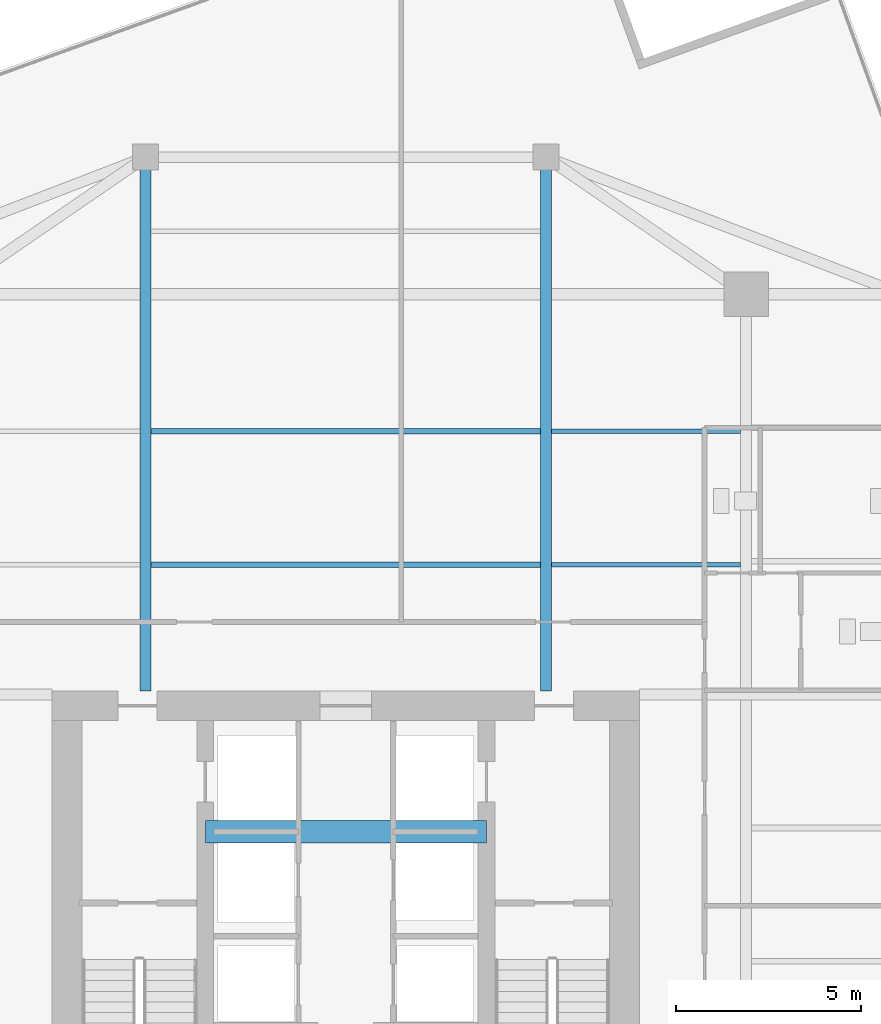
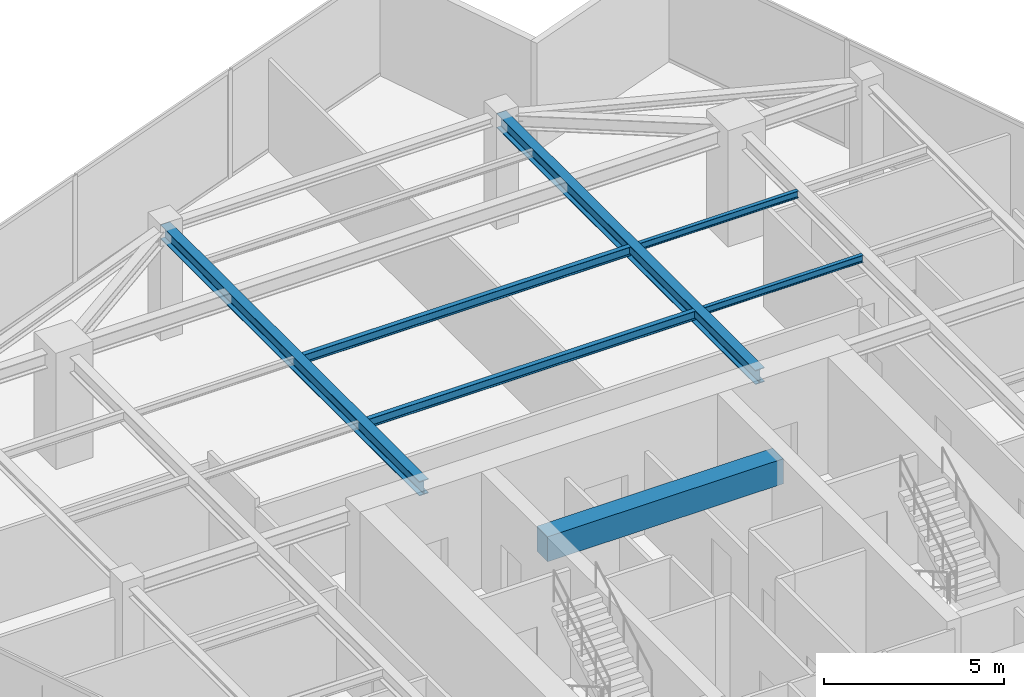
# One storey, part 8 of 21: 7 beams.
"""IFC4 building model written with IfcOpenShell, lengths in metres."""

from ifc_helpers import new_model, si_unit, direction, frame, origin, origin_2d, place, context, subcontext, project, spatial, rectangle, i_section, extrude, source, transform, mapped, material, material_profile, profile_set, type_object, type_shapes, element, save


model = new_model("IFC4")

# Units and contexts
model_context = context("Model", 3, precision=1e-05, world=origin(), true_north=direction((0.0, 1.0)))
body_context = subcontext(model_context, "Body", "Model", "MODEL_VIEW")
ifc_project = project(units=[si_unit("LENGTHUNIT", "METRE"), si_unit("AREAUNIT", "SQUARE_METRE"), si_unit("VOLUMEUNIT", "CUBIC_METRE"), si_unit("PLANEANGLEUNIT", "RADIAN"), si_unit("MASSUNIT", "GRAM", prefix="KILO")], contexts=[model_context])

# Site, building, storey
site_placement = place(None, origin())
site = spatial("IfcSite", under=ifc_project, at=site_placement, CompositionType="ELEMENT")
building_placement = place(site_placement, origin())
building = spatial("IfcBuilding", under=site, at=building_placement, Name="Krantzveldt Concourse Tower", CompositionType="ELEMENT")
storey_placement = place(building_placement, frame((0.0, 0.0, 335.60009765625)))
storey = spatial("IfcBuildingStorey", under=building, at=storey_placement, Name="L82", CompositionType="ELEMENT", Elevation=335.60009765625)

# Beams
ifc_material_1 = material(Name="Steel S355JR", Category="steel")
ifc_material_profile_1 = material_profile(ifc_material_1, i_section(OverallWidth=0.300048828125, OverallDepth=0.489990234375, WebThickness=0.011962890625, FlangeThickness=0.02294921875, FilletRadius=0.027099609375, at=origin_2d()), Name="Steel S355JR", Category="steel")
ifc_profile_set_1 = profile_set([ifc_material_profile_1], Name="Steel S355JR - HEA 500")
beam_type_1 = type_object("IfcBeamType", Name="BM-B-HEA500", PredefinedType="BEAM", material=ifc_profile_set_1)
shared_shape_1 = source(origin(), body_context, "Body", "SweptSolid", [
    extrude(i_section(OverallWidth=0.300048828125, OverallDepth=0.489990234375, WebThickness=0.011962890625, FlangeThickness=0.02294921875, FilletRadius=0.027099609375, at=origin_2d()), origin(), (0.0, 0.0, 1.0), 14.39990234375),
])
type_shapes(beam_type_1, [shared_shape_1])
for number, where, z_axis, x_axis, name in (
    (1, (30.60009765625, 26.800048828125, 3.4248046875), (0.0, 1.0, 0.0), (-1.0, 0.0, 0.0), "L82 Tower Girder BG-CNW"),
    (2, (41.39990234375, 26.800048828125, 3.4248046875), (0.0, 1.0, 0.0), (-1.0, 0.0, 0.0), "L82 Tower Girder BG-CNE"),
):
    element("IfcBeam", number, at=place(storey_placement, frame(where, z_axis=z_axis, x_axis=x_axis)), inside=storey, type_object=beam_type_1, Name=name, PredefinedType="BEAM", context=body_context, shape_type="MappedRepresentation", body=[
        mapped(shared_shape_1, transform((0.0, 0.0, 0.0), x_axis=(1.0, 0.0, 0.0), y_axis=(0.0, 1.0, 0.0), z_axis=(0.0, 0.0, 1.0), scale=1.0)),
    ])
ifc_material_profile_2 = material_profile(ifc_material_1, i_section(OverallWidth=0.14990234375, OverallDepth=0.300048828125, WebThickness=0.007080078125, FlangeThickness=0.0107421875, FilletRadius=0.014892578125, at=origin_2d()), Name="Steel S355JR", Category="steel")
ifc_profile_set_2 = profile_set([ifc_material_profile_2], Name="Steel S355JR - IPE 300")
beam_type_2 = type_object("IfcBeamType", Name="BM-J-IPE300", PredefinedType="JOIST", material=ifc_profile_set_2)
shared_shape_2 = source(origin(), body_context, "Body", "SweptSolid", [
    extrude(i_section(OverallWidth=0.14990234375, OverallDepth=0.300048828125, WebThickness=0.007080078125, FlangeThickness=0.0107421875, FilletRadius=0.014892578125, at=origin_2d()), origin(), (0.0, 0.0, 1.0), 10.5),
])
type_shapes(beam_type_2, [shared_shape_2])
for number, where, z_axis, x_axis, name in (
    (3, (30.75, 30.199951171875, 3.52001953125), (1.0, 0.0, 0.0), (0.0, 1.0, 0.0), "L82 Secondary Floor Joist JN-C1"),
    (4, (30.75, 33.800048828125, 3.52001953125), (1.0, 0.0, 0.0), (0.0, 1.0, 0.0), "L82 Secondary Floor Joist JN-C2"),
):
    element("IfcBeam", number, at=place(storey_placement, frame(where, z_axis=z_axis, x_axis=x_axis)), inside=storey, type_object=beam_type_2, Name=name, PredefinedType="JOIST", context=body_context, shape_type="MappedRepresentation", body=[
        mapped(shared_shape_2, transform((0.0, 0.0, 0.0), x_axis=(1.0, 0.0, 0.0), y_axis=(0.0, 1.0, 0.0), z_axis=(0.0, 0.0, 1.0), scale=1.0)),
    ])
ifc_material_2 = material(Name="Concrete C50/60", Category="concrete")
ifc_material_profile_3 = material_profile(ifc_material_2, rectangle(XDim=0.60009765625, YDim=0.85009765625, at=origin_2d()), Name="Concrete C50/60", Category="concrete")
ifc_profile_set_3 = profile_set([ifc_material_profile_3], Name="Concrete C50/60 - RC-CB 600x850")
beam_type_3 = type_object("IfcBeamType", Name="BM-CB-850", PredefinedType="LINTEL", material=ifc_profile_set_3)
shared_shape_3 = source(origin(), body_context, "Body", "SweptSolid", [
    extrude(rectangle(XDim=0.60009765625, YDim=0.85009765625, at=origin_2d()), origin(), (0.0, 0.0, 1.0), 7.580078125),
])
type_shapes(beam_type_3, [shared_shape_3])
beam_placement = place(storey_placement, frame((32.2099609375, 23.0, 3.244873046875), z_axis=(1.0, 0.0, 0.0), x_axis=(0.0, 1.0, 0.0)))
element("IfcBeam", 5, at=beam_placement, inside=storey, type_object=beam_type_3, Name="CB-L82-01", PredefinedType="LINTEL", context=body_context, shape_type="MappedRepresentation", body=[
    mapped(shared_shape_3, transform((0.0, 0.0, 0.0), x_axis=(1.0, 0.0, 0.0), y_axis=(0.0, 1.0, 0.0), z_axis=(0.0, 0.0, 1.0), scale=1.0)),
])
ifc_material_profile_4 = material_profile(ifc_material_1, i_section(OverallWidth=0.1201171875, OverallDepth=0.239990234375, WebThickness=0.006103515625, FlangeThickness=0.009765625, FilletRadius=0.014892578125, at=origin_2d()), Name="Steel S355JR", Category="steel")
ifc_profile_set_4 = profile_set([ifc_material_profile_4], Name="Steel S355JR - IPE 240")
beam_type_4 = type_object("IfcBeamType", Name="BM-LN-IPE240", PredefinedType="LINTEL", material=ifc_profile_set_4)
shared_shape_4 = source(origin(), body_context, "Body", "SweptSolid", [
    extrude(i_section(OverallWidth=0.1201171875, OverallDepth=0.239990234375, WebThickness=0.006103515625, FlangeThickness=0.009765625, FilletRadius=0.014892578125, at=origin_2d()), origin(), (0.0, 0.0, 1.0), 5.099853515625),
])
type_shapes(beam_type_4, [shared_shape_4])
for number, where, z_axis, x_axis, name in (
    (6, (41.550048828125, 30.199951171875, 3.5498046875), (1.0, 0.0, 0.0), (0.0, 1.0, 0.0), "L82 Secondary Floor Joist JN-E1"),
    (7, (41.550048828125, 33.800048828125, 3.5498046875), (1.0, 0.0, 0.0), (0.0, 1.0, 0.0), "L82 Secondary Floor Joist JN-E2"),
):
    element("IfcBeam", number, at=place(storey_placement, frame(where, z_axis=z_axis, x_axis=x_axis)), inside=storey, type_object=beam_type_4, Name=name, PredefinedType="LINTEL", context=body_context, shape_type="MappedRepresentation", body=[
        mapped(shared_shape_4, transform((0.0, 0.0, 0.0), x_axis=(1.0, 0.0, 0.0), y_axis=(0.0, 1.0, 0.0), z_axis=(0.0, 0.0, 1.0), scale=1.0)),
    ])

save(model, "model.ifc")
